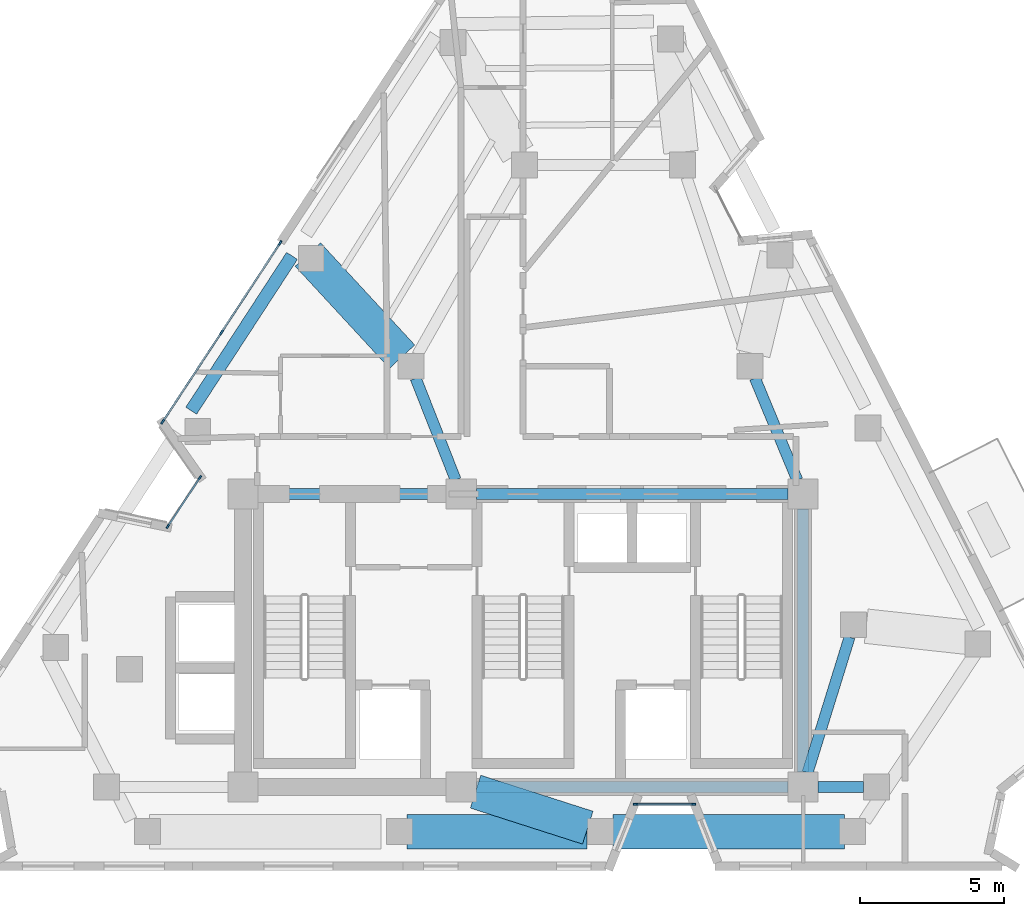
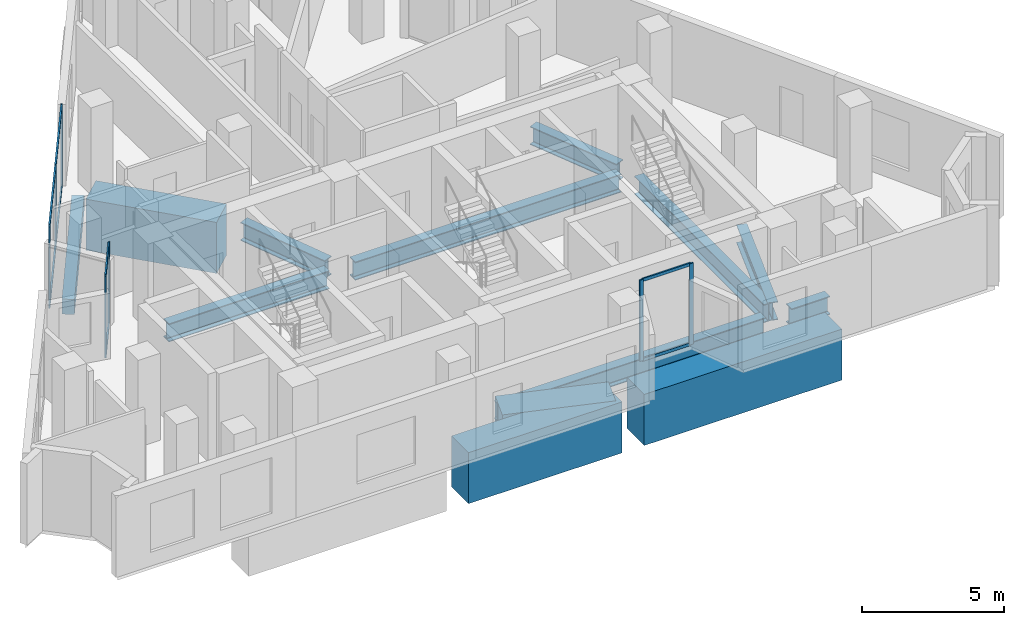
# One storey, part 2 of 10: 15 members, 13 beams, 3 elements without a shape of their own.
"""IFC4 building model written with IfcOpenShell, lengths in metres."""

import ifcopenshell
import ifcopenshell.guid

model = None  # the IFC model being written
_history = None  # IfcOwnerHistory: only IFC2X3 demands one
_inside = {}  # id of a spatial element -> (the spatial element, [elements in it])
_under = {}  # id of a project, library or spatial element -> (it, [spatial elements below it])
_declared = {}  # id of a project -> (the project, [libraries it declares])
_typed = {}  # id of a type object -> (the type object, [elements of that type])
_made_of = {}  # id of a material, layer set ... -> (it, [elements and type objects made of it])


def new_model(schema):
    """Start an empty IFC model of exactly this schema.

    Asked for "IFC4X3", IfcOpenShell would pick the latest addendum, in which some entities
    have other attributes; the version numbers below select the first issue.
    IFC2X3 requires an IfcOwnerHistory on every rooted entity: one is made here for all.
    """
    global model, _history
    if schema == "IFC4X3":
        model = ifcopenshell.file(schema_version=(4, 3, 0, 0))
    else:
        model = ifcopenshell.file(schema=schema)
    _inside.clear()
    _under.clear()
    _declared.clear()
    _typed.clear()
    _made_of.clear()
    _history = None
    if model.schema == "IFC2X3":
        org = make("IfcOrganization", Name="unknown")
        user = make(
            "IfcPersonAndOrganization",
            ThePerson=make("IfcPerson", FamilyName="unknown"),
            TheOrganization=org,
        )
        app = make(
            "IfcApplication",
            ApplicationDeveloper=org,
            Version="unknown",
            ApplicationFullName="unknown",
            ApplicationIdentifier="unknown",
        )
        _history = make(
            "IfcOwnerHistory",
            OwningUser=user,
            OwningApplication=app,
            ChangeAction="ADDED",
            CreationDate=0,
        )
    return model


def make(cls, **values):
    """One entity of the class cls with the attributes given. An attribute that is None is left unset."""
    return model.create_entity(
        cls, **{name: value for name, value in values.items() if value is not None}
    )


def rooted(cls, **values):
    """An entity with a GlobalId (a new one), such as an element, a storey or a relation."""
    return make(cls, GlobalId=ifcopenshell.guid.new(), OwnerHistory=_history, **values)


def si_unit(unit_type, name, prefix=None):
    """IfcSIUnit, for example si_unit("LENGTHUNIT", "METRE", prefix="MILLI")."""
    return make("IfcSIUnit", UnitType=unit_type, Prefix=prefix, Name=name)


def assignment(units):
    """IfcUnitAssignment: the units of a project."""
    return None if units is None else make("IfcUnitAssignment", Units=units)


def point(xyz):
    """IfcCartesianPoint."""
    return None if xyz is None else make("IfcCartesianPoint", Coordinates=xyz)


def direction(xyz):
    """IfcDirection."""
    return None if xyz is None else make("IfcDirection", DirectionRatios=xyz)


def frame(location, z_axis=None, x_axis=None):
    """IfcAxis2Placement3D, a coordinate frame: its origin and axes. An axis left out is left unset."""
    return make(
        "IfcAxis2Placement3D",
        Location=point(location),
        Axis=direction(z_axis),
        RefDirection=direction(x_axis),
    )


def frame_2d(location, x_axis=None):
    """IfcAxis2Placement2D, a coordinate frame in the plane: its origin and x axis."""
    return make(
        "IfcAxis2Placement2D", Location=point(location), RefDirection=direction(x_axis)
    )


def origin():
    """The frame at (0, 0, 0) with its axes left unset."""
    return frame((0.0, 0.0, 0.0))


def origin_2d():
    """The frame at (0, 0) in the plane with its x axis left unset."""
    return frame_2d((0.0, 0.0))


def place(relative_to, where):
    """IfcLocalPlacement: puts the frame where relative to a parent placement (None: the world)."""
    return make(
        "IfcLocalPlacement", PlacementRelTo=relative_to, RelativePlacement=where
    )


def context(
    kind, dimensions, precision=None, world=None, true_north=None, identifier=None
):
    """IfcGeometricRepresentationContext, for example the 3D "Model" context."""
    return make(
        "IfcGeometricRepresentationContext",
        ContextIdentifier=identifier,
        ContextType=kind,
        CoordinateSpaceDimension=dimensions,
        Precision=precision,
        WorldCoordinateSystem=world,
        TrueNorth=true_north,
    )


def subcontext(parent, identifier, kind, view, scale=None):
    """IfcGeometricRepresentationSubContext, for example "Body" below "Model"."""
    return make(
        "IfcGeometricRepresentationSubContext",
        ContextIdentifier=identifier,
        ContextType=kind,
        ParentContext=parent,
        TargetScale=scale,
        TargetView=view,
    )


def project(units=None, contexts=None):
    """IfcProject with its units and contexts."""
    return rooted(
        "IfcProject",
        Name="project",
        RepresentationContexts=contexts,
        UnitsInContext=assignment(units),
    )


def spatial(cls, under=None, at=None, **own):
    """A site, building, storey or space (cls), placed at a placement, below another one or the project."""
    s = rooted(cls, ObjectPlacement=at, **own)
    if under is not None:
        _under.setdefault(under.id(), (under, []))[1].append(s)
    return s


def profile(cls, at=None, kind="AREA", **sizes):
    """A parametric profile (cls). Its sizes go by their IFC names, for example OverallWidth=200.0."""
    return make(cls, ProfileType=kind, Position=at, **sizes)


def rectangle(**sizes):
    """IfcRectangleProfileDef."""
    return profile("IfcRectangleProfileDef", **sizes)


def i_section(**sizes):
    """IfcIShapeProfileDef."""
    return profile("IfcIShapeProfileDef", **sizes)


def extrude(swept, where, along, depth):
    """IfcExtrudedAreaSolid: the profile swept, set in the frame where, extruded along a direction by depth."""
    return make(
        "IfcExtrudedAreaSolid",
        SweptArea=swept,
        Position=where,
        ExtrudedDirection=direction(along),
        Depth=depth,
    )


def shape(context_of_items, identifier, shape_type, items):
    """IfcShapeRepresentation: the items that make up one representation, for example the "Body"."""
    return make(
        "IfcShapeRepresentation",
        ContextOfItems=context_of_items,
        RepresentationIdentifier=identifier,
        RepresentationType=shape_type,
        Items=items,
    )


def material(Name=None, Category=None):
    """IfcMaterial."""
    return make("IfcMaterial", Name=Name, Category=Category)


def layer(
    of_material, thickness, ventilated=None, Name=None, Category=None, Priority=None
):
    """IfcMaterialLayer: one layer of a wall or slab, of a material (None: an air gap)."""
    return make(
        "IfcMaterialLayer",
        Material=of_material,
        LayerThickness=thickness,
        IsVentilated=ventilated,
        Name=Name,
        Category=Category,
        Priority=Priority,
    )


def layer_set(layers, Name=None):
    """IfcMaterialLayerSet."""
    return make("IfcMaterialLayerSet", MaterialLayers=layers, LayerSetName=Name)


def material_profile(
    of_material, cross_section, Name=None, Category=None, Priority=None
):
    """IfcMaterialProfile: a cross section and its material."""
    return make(
        "IfcMaterialProfile",
        Name=Name,
        Material=of_material,
        Profile=cross_section,
        Priority=Priority,
        Category=Category,
    )


def profile_set(profiles, Name=None, composite=None):
    """IfcMaterialProfileSet."""
    return make(
        "IfcMaterialProfileSet",
        Name=Name,
        MaterialProfiles=profiles,
        CompositeProfile=composite,
    )


def made_of(thing, what):
    """Note that an element or type object is made of a material, layer set ...; save() writes the relation."""
    if what is not None:
        _made_of.setdefault(what.id(), (what, []))[1].append(thing)
    return thing


def type_object(cls, material=None, **own):
    """A type object (cls), such as IfcWallType, which elements share."""
    return made_of(rooted(cls, **own), material)


def element(
    cls,
    number,
    at=None,
    inside=None,
    cuts=None,
    type_object=None,
    material=None,
    context=None,
    identifier="Body",
    shape_type=None,
    held_by="IfcProductDefinitionShape",
    body=None,
    shapes=None,
    **own,
):
    """One element of the class cls, such as IfcWall. Its Tag is "e" and its number.

    at: its placement. inside: the storey or other place that contains it. cuts: it is an
    opening in that element (IfcRelVoidsElement). A single representation is given by context,
    identifier, shape_type and body (its items); several are given by shapes. held_by: the class
    of the entity that holds the representations. save() writes the other relations.
    """
    e = rooted(cls, Tag="e%d" % number, ObjectPlacement=at, **own)
    if body is not None:
        shapes = [shape(context, identifier, shape_type, body)]
    if shapes is not None:
        e.Representation = make(held_by, Representations=shapes)
    if inside is not None:
        _inside.setdefault(inside.id(), (inside, []))[1].append(e)
    if cuts is not None:
        rooted(
            "IfcRelVoidsElement", RelatingBuildingElement=cuts, RelatedOpeningElement=e
        )
    if type_object is not None:
        _typed.setdefault(type_object.id(), (type_object, []))[1].append(e)
    return made_of(e, material)


def aggregate(whole, parts):
    """IfcRelAggregates: a whole, such as a stair, and the parts it consists of."""
    return rooted("IfcRelAggregates", RelatingObject=whole, RelatedObjects=parts)


def save(model, path):
    """Write the relations noted so far, then the file.

    IfcRelAggregates (storeys below a building ...), IfcRelContainedInSpatialStructure (elements
    in a storey), IfcRelDefinesByType, IfcRelAssociatesMaterial and IfcRelDeclares: one each for
    every whole, place, type object, material and project.
    """
    for whole, parts in _under.values():
        aggregate(whole, parts)
    for where, things in _inside.values():
        rooted(
            "IfcRelContainedInSpatialStructure",
            RelatedElements=things,
            RelatingStructure=where,
        )
    for kind, things in _typed.values():
        rooted("IfcRelDefinesByType", RelatedObjects=things, RelatingType=kind)
    for what, things in _made_of.values():
        rooted("IfcRelAssociatesMaterial", RelatedObjects=things, RelatingMaterial=what)
    for by, libraries in _declared.values():
        rooted("IfcRelDeclares", RelatingContext=by, RelatedDefinitions=libraries)
    model.write(path)


model = new_model("IFC4")

# Units and contexts
model_context = context("Model", 3, precision=1e-05, world=origin(), true_north=direction((0.0, 1.0)))
body_context = subcontext(model_context, "Body", "Model", "MODEL_VIEW")
ifc_project = project(units=[si_unit("LENGTHUNIT", "METRE"), si_unit("AREAUNIT", "SQUARE_METRE"), si_unit("VOLUMEUNIT", "CUBIC_METRE"), si_unit("PLANEANGLEUNIT", "RADIAN"), si_unit("MASSUNIT", "GRAM", prefix="KILO")], contexts=[model_context])

# Site, building, storey
site_placement = place(None, origin())
site = spatial("IfcSite", under=ifc_project, at=site_placement, CompositionType="ELEMENT")
building_placement = place(site_placement, origin())
building = spatial("IfcBuilding", under=site, at=building_placement, Name="Almagre Mirador Tower", CompositionType="ELEMENT")
storey_placement = place(building_placement, frame((0.0, 0.0, 229.5)))
storey = spatial("IfcBuildingStorey", under=building, at=storey_placement, Name="L59", CompositionType="ELEMENT", Elevation=229.5)

# Beams
ifc_material_1 = material(Name="Precast concrete C50/60", Category="concrete")
ifc_material_profile_1 = material_profile(ifc_material_1, rectangle(XDim=0.449951171875, YDim=0.64990234375, at=origin_2d()), Name="RC450X650")
ifc_profile_set_1 = profile_set([ifc_material_profile_1], Name="Precast concrete C50/60")
beam_type_1 = type_object("IfcBeamType", Name="BM-SPN-RC450X650", PredefinedType="SPANDREL", material=ifc_profile_set_1)
beam_1_placement = place(storey_placement, frame((29.260498046875, 23.039794921875, -0.574951171875), z_axis=(-0.545617994426, -0.838034011337, 0.0), x_axis=(0.838034011337, -0.545617994426, 0.0)))
element("IfcBeam", 1, at=beam_1_placement, inside=storey, type_object=beam_type_1, Name="L59 perimeter spandrel beam PC10-PC11", PredefinedType="SPANDREL", context=body_context, shape_type="SweptSolid", body=[
    extrude(rectangle(XDim=0.449951171875, YDim=0.64990234375, at=origin_2d()), origin(), (0.0, 0.0, 1.0), 6.431396484375),
])
ifc_material_2 = material(Name="Steel ASTM A992 Grade 50", Category="steel")
ifc_material_profile_2 = material_profile(ifc_material_2, i_section(OverallWidth=0.384033203125, OverallDepth=0.784912109375, WebThickness=0.019775390625, FlangeThickness=0.033447265625, FilletRadius=0.02392578125, at=origin_2d()), Name="W30X211")
ifc_profile_set_2 = profile_set([ifc_material_profile_2], Name="Steel ASTM A992 Grade 50")
beam_type_2 = type_object("IfcBeamType", Name="BM-STL-W30X211", PredefinedType="BEAM", material=ifc_profile_set_2)
beam_2_placement = place(storey_placement, frame((35.675048828125, 4.550048828125, -0.642578125), z_axis=(1.0, 0.0, 0.0), x_axis=(0.0, 1.0, 0.0)))
element("IfcBeam", 2, at=beam_2_placement, inside=storey, type_object=beam_type_2, Name="L59 core tie girder CC2-CC3", PredefinedType="BEAM", context=body_context, shape_type="SweptSolid", body=[
    extrude(i_section(OverallWidth=0.384033203125, OverallDepth=0.784912109375, WebThickness=0.019775390625, FlangeThickness=0.033447265625, FilletRadius=0.02392578125, at=origin_2d()), origin(), (0.0, 0.0, 1.0), 10.849853515625),
])
beam_3_placement = place(storey_placement, frame((28.074951171875, 14.75, -0.642578125), z_axis=(1.0, 0.0, 0.0), x_axis=(0.0, 1.0, 0.0)))
element("IfcBeam", 3, at=beam_3_placement, inside=storey, type_object=beam_type_2, Name="L59 core tie girder CC4-CC5", PredefinedType="BEAM", context=body_context, shape_type="SweptSolid", body=[
    extrude(i_section(OverallWidth=0.384033203125, OverallDepth=0.784912109375, WebThickness=0.019775390625, FlangeThickness=0.033447265625, FilletRadius=0.02392578125, at=origin_2d()), origin(), (0.0, 0.0, 1.0), 6.550048828125),
])
beam_4_placement = place(storey_placement, frame((35.675048828125, 14.75, -0.642578125), z_axis=(1.0, 0.0, 0.0), x_axis=(0.0, 1.0, 0.0)))
element("IfcBeam", 4, at=beam_4_placement, inside=storey, type_object=beam_type_2, Name="L59 core tie girder CC5-CC6", PredefinedType="BEAM", context=body_context, shape_type="SweptSolid", body=[
    extrude(i_section(OverallWidth=0.384033203125, OverallDepth=0.784912109375, WebThickness=0.019775390625, FlangeThickness=0.033447265625, FilletRadius=0.02392578125, at=origin_2d()), origin(), (0.0, 0.0, 1.0), 10.849853515625),
])
beam_5_placement = place(storey_placement, frame((47.050048828125, 5.074951171875, -0.642578125), z_axis=(0.0, 1.0, 0.0), x_axis=(-1.0, 0.0, 0.0)))
element("IfcBeam", 5, at=beam_5_placement, inside=storey, type_object=beam_type_2, Name="L59 core tie girder CC3-CC6", PredefinedType="BEAM", context=body_context, shape_type="SweptSolid", body=[
    extrude(i_section(OverallWidth=0.384033203125, OverallDepth=0.784912109375, WebThickness=0.019775390625, FlangeThickness=0.033447265625, FilletRadius=0.02392578125, at=origin_2d()), origin(), (0.0, 0.0, 1.0), 9.150146484375),
])
beam_6_placement = place(storey_placement, frame((49.14990234375, 4.550048828125, -0.642578125), z_axis=(-1.0, 0.0, 0.0), x_axis=(0.0, -1.0, 0.0)))
element("IfcBeam", 6, at=beam_6_placement, inside=storey, type_object=beam_type_2, Name="L59 core tie girder MC2-CC3", PredefinedType="BEAM", context=body_context, shape_type="SweptSolid", body=[
    extrude(i_section(OverallWidth=0.384033203125, OverallDepth=0.784912109375, WebThickness=0.019775390625, FlangeThickness=0.033447265625, FilletRadius=0.02392578125, at=origin_2d()), origin(), (0.0, 0.0, 1.0), 1.574951171875),
])
beam_7_placement = place(storey_placement, frame((48.6669921875, 9.77001953125, -0.642578125), z_axis=(-0.295901717967, -0.955218390372, 0.0), x_axis=(0.955218390372, -0.295901717967, 0.0)))
element("IfcBeam", 7, at=beam_7_placement, inside=storey, type_object=beam_type_2, Name="L59 core tie girder MC3-CC3", PredefinedType="BEAM", context=body_context, shape_type="SweptSolid", body=[
    extrude(i_section(OverallWidth=0.384033203125, OverallDepth=0.784912109375, WebThickness=0.019775390625, FlangeThickness=0.033447265625, FilletRadius=0.02392578125, at=origin_2d()), origin(), (0.0, 0.0, 1.0), 4.939697265625),
])
beam_8_placement = place(storey_placement, frame((45.372802734375, 18.784423828125, -0.642578125), z_axis=(0.383862140668, -0.923390414159, 0.0), x_axis=(0.923390414159, 0.383862140668, 0.0)))
element("IfcBeam", 8, at=beam_8_placement, inside=storey, type_object=beam_type_2, Name="L59 core tie girder MC5-CC6", PredefinedType="BEAM", context=body_context, shape_type="SweptSolid", body=[
    extrude(i_section(OverallWidth=0.384033203125, OverallDepth=0.784912109375, WebThickness=0.019775390625, FlangeThickness=0.033447265625, FilletRadius=0.02392578125, at=origin_2d()), origin(), (0.0, 0.0, 1.0), 3.843994140625),
])
beam_9_placement = place(storey_placement, frame((33.564697265625, 18.78125, -0.642578125), z_axis=(0.365999579355, -0.93061501595, 0.0), x_axis=(0.93061501595, 0.365999579355, 0.0)))
element("IfcBeam", 9, at=beam_9_placement, inside=storey, type_object=beam_type_2, Name="L59 core tie girder MC8-CC5", PredefinedType="BEAM", context=body_context, shape_type="SweptSolid", body=[
    extrude(i_section(OverallWidth=0.384033203125, OverallDepth=0.784912109375, WebThickness=0.019775390625, FlangeThickness=0.033447265625, FilletRadius=0.02392578125, at=origin_2d()), origin(), (0.0, 0.0, 1.0), 3.806884765625),
])
ifc_material_3 = material(Name="Concrete C60/75", Category="concrete")
ifc_material_profile_3 = material_profile(ifc_material_3, rectangle(XDim=1.199951171875, YDim=2.199951171875, at=origin_2d()), Name="RC1200X2200")
ifc_profile_set_3 = profile_set([ifc_material_profile_3], Name="Concrete C60/75")
beam_type_3 = type_object("IfcBeamType", Name="BM-XFER-RC1200X2200", PredefinedType="BEAM", material=ifc_profile_set_3)
beam_10_placement = place(storey_placement, frame((33.26611328125, 3.0, -1.35009765625), z_axis=(1.0, 0.0, 0.0), x_axis=(0.0, 1.0, 0.0)))
element("IfcBeam", 10, at=beam_10_placement, inside=storey, type_object=beam_type_3, Name="L59 perimeter spandrel beam PC02-PC03", PredefinedType="BEAM", context=body_context, shape_type="SweptSolid", body=[
    extrude(rectangle(XDim=1.199951171875, YDim=2.199951171875, at=origin_2d()), origin(), (0.0, 0.0, 1.0), 6.267822265625),
])
beam_11_placement = place(storey_placement, frame((40.43408203125, 3.0, -1.35009765625), z_axis=(1.0, 0.0, 0.0), x_axis=(0.0, 1.0, 0.0)))
element("IfcBeam", 11, at=beam_11_placement, inside=storey, type_object=beam_type_3, Name="L59 perimeter spandrel beam PC03-PC04", PredefinedType="BEAM", context=body_context, shape_type="SweptSolid", body=[
    extrude(rectangle(XDim=1.199951171875, YDim=2.199951171875, at=origin_2d()), origin(), (0.0, 0.0, 1.0), 8.059814453125),
])
beam_12_placement = place(storey_placement, frame((39.555419921875, 3.137451171875, -1.35009765625), z_axis=(-0.952251894345, 0.305313494161, 0.0), x_axis=(-0.305313494161, -0.952251894345, 0.0)))
element("IfcBeam", 12, at=beam_12_placement, inside=storey, type_object=beam_type_3, Name="L59 radial transfer girder PC03-CC2", PredefinedType="BEAM", context=body_context, shape_type="SweptSolid", body=[
    extrude(rectangle(XDim=1.199951171875, YDim=2.199951171875, at=origin_2d()), origin(), (0.0, 0.0, 1.0), 4.101318359375),
])
beam_13_placement = place(storey_placement, frame((29.811279296875, 23.08642578125, -1.35009765625), z_axis=(0.678399511669, -0.734693203023, 0.0), x_axis=(0.734693203023, 0.678399511669, 0.0)))
element("IfcBeam", 13, at=beam_13_placement, inside=storey, type_object=beam_type_3, Name="L59 radial transfer girder PC10-MC8", PredefinedType="BEAM", context=body_context, shape_type="SweptSolid", body=[
    extrude(rectangle(XDim=1.199951171875, YDim=2.199951171875, at=origin_2d()), origin(), (0.0, 0.0, 1.0), 4.840087890625),
])

# Curtain wall, members
ifc_material_4 = material(Name="Black anodized aluminium", Category="aluminium")
ifc_layer_1 = layer(ifc_material_4, 0.169921875)
ifc_layer_set_1 = layer_set([ifc_layer_1], Name="Black anodized aluminium")
curtain_wall_type_1 = type_object("IfcCurtainWallType", Name="CW-CRS-SYS", PredefinedType="NOTDEFINED", material=ifc_layer_set_1)
curtain_wall_1_placement = place(storey_placement, origin())
curtain_wall_1 = element("IfcCurtainWall", 14, at=curtain_wall_1_placement, inside=storey, type_object=curtain_wall_type_1, Name="L59 vertical crease curtain wall 01", PredefinedType="NOTDEFINED")
ifc_material_5 = material(Name="Black anodized aluminium", Category="aluminium")
ifc_material_profile_4 = material_profile(ifc_material_5, rectangle(XDim=0.06005859375, YDim=0.14990234375, at=origin_2d()), Name="CWM60X150")
ifc_profile_set_4 = profile_set([ifc_material_profile_4], Name="Black anodized aluminium")
member_type_1 = type_object("IfcMemberType", Name="MBR-CWM60X150", PredefinedType="MULLION", material=ifc_profile_set_4)
member_1_placement = place(storey_placement, frame((24.9404296875, 13.625, 0.0), z_axis=(0.0, 0.0, 1.0), x_axis=(-0.835931289344, 0.548834109267, 0.0)))
member_1 = element("IfcMember", 15, at=member_1_placement, type_object=member_type_1, Name="CW-4 mullion 1", PredefinedType="MULLION", context=body_context, shape_type="SweptSolid", body=[
    extrude(rectangle(XDim=0.06005859375, YDim=0.14990234375, at=origin_2d()), origin(), (0.0, 0.0, 1.0), 3.5),
])
member_2_placement = place(storey_placement, frame((26.054443359375, 15.322021484375, 0.0), z_axis=(0.0, 0.0, 1.0), x_axis=(-0.835931289344, 0.548834109267, 0.0)))
member_2 = element("IfcMember", 16, at=member_2_placement, type_object=member_type_1, Name="CW-4 mullion 2", PredefinedType="MULLION", context=body_context, shape_type="SweptSolid", body=[
    extrude(rectangle(XDim=0.06005859375, YDim=0.14990234375, at=origin_2d()), origin(), (0.0, 0.0, 1.0), 3.5),
])

curtain_wall_2_placement = place(storey_placement, origin())
curtain_wall_2 = element("IfcCurtainWall", 17, at=curtain_wall_2_placement, inside=storey, type_object=curtain_wall_type_1, Name="L59 vertical crease curtain wall 04", PredefinedType="NOTDEFINED")
member_3_placement = place(storey_placement, frame((43.242919921875, 3.949951171875, 0.0), z_axis=(0.0, 0.0, 1.0), x_axis=(0.0, -1.0, 0.0)))
member_3 = element("IfcMember", 18, at=member_3_placement, type_object=member_type_1, Name="CW-4 mullion 1", PredefinedType="MULLION", context=body_context, shape_type="SweptSolid", body=[
    extrude(rectangle(XDim=0.06005859375, YDim=0.14990234375, at=origin_2d()), origin(), (0.0, 0.0, 1.0), 3.5),
])
member_4_placement = place(storey_placement, frame((41.212890625, 3.949951171875, 0.0), z_axis=(0.0, 0.0, 1.0), x_axis=(0.0, -1.0, 0.0)))
member_4 = element("IfcMember", 19, at=member_4_placement, type_object=member_type_1, Name="CW-4 mullion 2", PredefinedType="MULLION", context=body_context, shape_type="SweptSolid", body=[
    extrude(rectangle(XDim=0.06005859375, YDim=0.14990234375, at=origin_2d()), origin(), (0.0, 0.0, 1.0), 3.5),
])

ifc_material_6 = material(Name="Black anodized aluminium", Category="aluminium")
ifc_layer_2 = layer(ifc_material_6, 0.199951171875)
ifc_layer_set_2 = layer_set([ifc_layer_2], Name="Black anodized aluminium")
curtain_wall_type_2 = type_object("IfcCurtainWallType", Name="CW-RES-H-SYS", PredefinedType="NOTDEFINED", material=ifc_layer_set_2)
curtain_wall_3_placement = place(storey_placement, origin())
curtain_wall_3 = element("IfcCurtainWall", 20, at=curtain_wall_3_placement, inside=storey, type_object=curtain_wall_type_2, Name="L59 curtain wall run 02", PredefinedType="NOTDEFINED")
ifc_material_7 = material(Name="Black anodized aluminium", Category="aluminium")
ifc_material_profile_5 = material_profile(ifc_material_7, rectangle(XDim=0.06494140625, YDim=0.179931640625, at=origin_2d()), Name="CWM65X180")
ifc_profile_set_5 = profile_set([ifc_material_profile_5], Name="Black anodized aluminium")
member_type_2 = type_object("IfcMemberType", Name="MBR-CWM65X180", PredefinedType="MULLION", material=ifc_profile_set_5)
member_5_placement = place(storey_placement, frame((24.761962890625, 17.26904296875, 0.0), z_axis=(0.0, 0.0, 1.0), x_axis=(-0.835791270495, 0.54904731323, 0.0)))
member_5 = element("IfcMember", 21, at=member_5_placement, type_object=member_type_2, Name="CW-3 mullion 1", PredefinedType="MULLION", context=body_context, shape_type="SweptSolid", body=[
    extrude(rectangle(XDim=0.06494140625, YDim=0.179931640625, at=origin_2d()), origin(), (0.0, 0.0, 1.0), 3.5),
])
member_6_placement = place(storey_placement, frame((26.803955078125, 20.3779296875, 0.0), z_axis=(0.0, 0.0, 1.0), x_axis=(-0.835791270495, 0.54904731323, 0.0)))
member_6 = element("IfcMember", 22, at=member_6_placement, type_object=member_type_2, Name="CW-3 mullion 2", PredefinedType="MULLION", context=body_context, shape_type="SweptSolid", body=[
    extrude(rectangle(XDim=0.06494140625, YDim=0.179931640625, at=origin_2d()), origin(), (0.0, 0.0, 1.0), 3.5),
])
member_7_placement = place(storey_placement, frame((28.84619140625, 23.486572265625, 0.0), z_axis=(0.0, 0.0, 1.0), x_axis=(-0.835791270495, 0.54904731323, 0.0)))
member_7 = element("IfcMember", 23, at=member_7_placement, type_object=member_type_2, Name="CW-3 mullion 3", PredefinedType="MULLION", context=body_context, shape_type="SweptSolid", body=[
    extrude(rectangle(XDim=0.06494140625, YDim=0.179931640625, at=origin_2d()), origin(), (0.0, 0.0, 1.0), 3.5),
])

# Member
ifc_material_8 = material(Name="Black anodized aluminium", Category="aluminium")
ifc_material_profile_6 = material_profile(ifc_material_8, rectangle(XDim=0.06005859375, YDim=0.1298828125, at=origin_2d()), Name="CWT60X130")
ifc_profile_set_6 = profile_set([ifc_material_profile_6], Name="Black anodized aluminium")
member_type_3 = type_object("IfcMemberType", Name="MBR-CWT60X130", PredefinedType="USERDEFINED", material=ifc_profile_set_6)
member_8_placement = place(storey_placement, frame((24.95703125, 13.650146484375, 0.030029296875), z_axis=(0.548794499346, 0.835957294057, 0.0), x_axis=(-0.835957294057, 0.548794499346, 0.0)))
member_8 = element("IfcMember", 24, at=member_8_placement, type_object=member_type_3, Name="CW-4 transom 1.1", ObjectType="TRANSOM", PredefinedType="USERDEFINED", context=body_context, shape_type="SweptSolid", body=[
    extrude(rectangle(XDim=0.06005859375, YDim=0.1298828125, at=origin_2d()), origin(), (0.0, 0.0, 1.0), 1.969970703125),
])

member_9_placement = place(storey_placement, frame((24.95703125, 13.650146484375, 3.469970703125), z_axis=(0.548794499346, 0.835957294057, 0.0), x_axis=(-0.835957294057, 0.548794499346, 0.0)))
member_9 = element("IfcMember", 25, at=member_9_placement, type_object=member_type_3, Name="CW-4 transom 1.2", ObjectType="TRANSOM", PredefinedType="USERDEFINED", context=body_context, shape_type="SweptSolid", body=[
    extrude(rectangle(XDim=0.06005859375, YDim=0.1298828125, at=origin_2d()), origin(), (0.0, 0.0, 1.0), 1.969970703125),
])

aggregate(curtain_wall_1, [member_1, member_2, member_8, member_9])

member_10_placement = place(storey_placement, frame((43.212890625, 3.949951171875, 0.030029296875), z_axis=(-1.0, 0.0, 0.0), x_axis=(0.0, -1.0, 0.0)))
member_10 = element("IfcMember", 26, at=member_10_placement, type_object=member_type_3, Name="CW-4 transom 1.1", ObjectType="TRANSOM", PredefinedType="USERDEFINED", context=body_context, shape_type="SweptSolid", body=[
    extrude(rectangle(XDim=0.06005859375, YDim=0.1298828125, at=origin_2d()), origin(), (0.0, 0.0, 1.0), 1.969970703125),
])

member_11_placement = place(storey_placement, frame((43.212890625, 3.949951171875, 3.469970703125), z_axis=(-1.0, 0.0, 0.0), x_axis=(0.0, -1.0, 0.0)))
member_11 = element("IfcMember", 27, at=member_11_placement, type_object=member_type_3, Name="CW-4 transom 1.2", ObjectType="TRANSOM", PredefinedType="USERDEFINED", context=body_context, shape_type="SweptSolid", body=[
    extrude(rectangle(XDim=0.06005859375, YDim=0.1298828125, at=origin_2d()), origin(), (0.0, 0.0, 1.0), 1.969970703125),
])

aggregate(curtain_wall_2, [member_3, member_4, member_10, member_11])

ifc_material_9 = material(Name="Black anodized aluminium", Category="aluminium")
ifc_material_profile_7 = material_profile(ifc_material_9, rectangle(XDim=0.06494140625, YDim=0.14990234375, at=origin_2d()), Name="CWT65X150")
ifc_profile_set_7 = profile_set([ifc_material_profile_7], Name="Black anodized aluminium")
member_type_4 = type_object("IfcMemberType", Name="MBR-CWT65X150", PredefinedType="USERDEFINED", material=ifc_profile_set_7)
member_12_placement = place(storey_placement, frame((24.77978515625, 17.29638671875, 0.032470703125), z_axis=(0.549044564398, 0.835793076249, 0.0), x_axis=(-0.835793076249, 0.549044564398, 0.0)))
member_12 = element("IfcMember", 28, at=member_12_placement, type_object=member_type_4, Name="CW-3 transom 1.1", ObjectType="TRANSOM", PredefinedType="USERDEFINED", context=body_context, shape_type="SweptSolid", body=[
    extrude(rectangle(XDim=0.06494140625, YDim=0.14990234375, at=origin_2d()), origin(), (0.0, 0.0, 1.0), 3.654296875),
])

member_13_placement = place(storey_placement, frame((24.77978515625, 17.29638671875, 3.467529296875), z_axis=(0.549044564398, 0.835793076249, 0.0), x_axis=(-0.835793076249, 0.549044564398, 0.0)))
member_13 = element("IfcMember", 29, at=member_13_placement, type_object=member_type_4, Name="CW-3 transom 1.2", ObjectType="TRANSOM", PredefinedType="USERDEFINED", context=body_context, shape_type="SweptSolid", body=[
    extrude(rectangle(XDim=0.06494140625, YDim=0.14990234375, at=origin_2d()), origin(), (0.0, 0.0, 1.0), 3.654296875),
])

member_14_placement = place(storey_placement, frame((26.82177734375, 20.405029296875, 0.032470703125), z_axis=(0.549060574661, 0.835782558655, 0.0), x_axis=(-0.835782558655, 0.549060574661, 0.0)))
member_14 = element("IfcMember", 30, at=member_14_placement, type_object=member_type_4, Name="CW-3 transom 2.1", ObjectType="TRANSOM", PredefinedType="USERDEFINED", context=body_context, shape_type="SweptSolid", body=[
    extrude(rectangle(XDim=0.06494140625, YDim=0.14990234375, at=origin_2d()), origin(), (0.0, 0.0, 1.0), 3.654541015625),
])

member_15_placement = place(storey_placement, frame((26.82177734375, 20.405029296875, 3.467529296875), z_axis=(0.549060574661, 0.835782558655, 0.0), x_axis=(-0.835782558655, 0.549060574661, 0.0)))
member_15 = element("IfcMember", 31, at=member_15_placement, type_object=member_type_4, Name="CW-3 transom 2.2", ObjectType="TRANSOM", PredefinedType="USERDEFINED", context=body_context, shape_type="SweptSolid", body=[
    extrude(rectangle(XDim=0.06494140625, YDim=0.14990234375, at=origin_2d()), origin(), (0.0, 0.0, 1.0), 3.654541015625),
])

aggregate(curtain_wall_3, [member_5, member_6, member_7, member_12, member_13, member_14, member_15])

save(model, "model.ifc")
